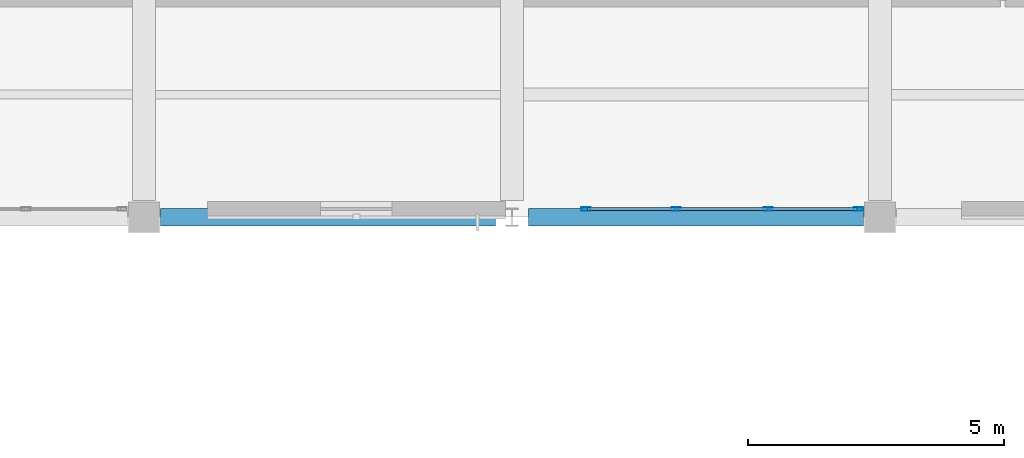
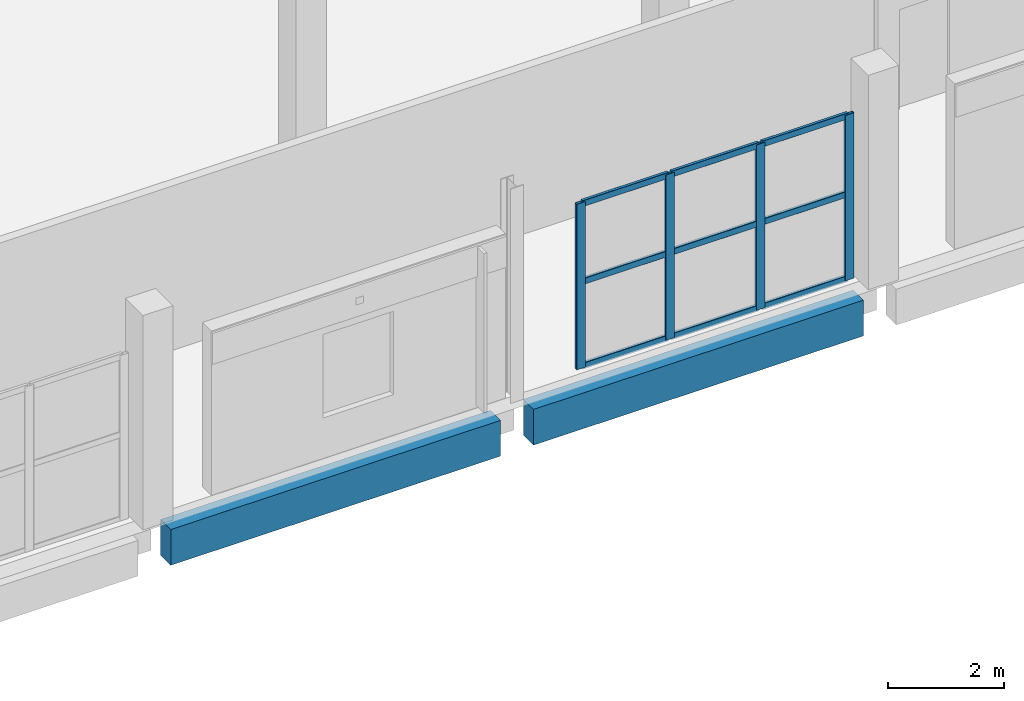
# One storey, part 53 of 123: 13 members, 2 beams, 1 element without a shape of its own.
"""IFC4 building model written with IfcOpenShell, lengths in metres."""

from ifc_helpers import new_model, si_unit, direction, frame, origin, origin_2d, place, context, subcontext, project, spatial, rectangle, hollow_rectangle, extrude, material, material_profile, profile_set, type_object, element, aggregate, save


model = new_model("IFC4")

# Units and contexts
model_context = context("Model", 3, precision=1e-05, world=origin(), true_north=direction((0.0, 1.0)))
body_context = subcontext(model_context, "Body", "Model", "MODEL_VIEW")
ifc_project = project(units=[si_unit("LENGTHUNIT", "METRE"), si_unit("AREAUNIT", "SQUARE_METRE"), si_unit("VOLUMEUNIT", "CUBIC_METRE"), si_unit("PLANEANGLEUNIT", "RADIAN"), si_unit("MASSUNIT", "GRAM", prefix="KILO")], contexts=[model_context])

# Site, building, storey
site_placement = place(None, origin())
site = spatial("IfcSite", under=ifc_project, at=site_placement, CompositionType="ELEMENT")
building_placement = place(site_placement, origin())
building = spatial("IfcBuilding", under=site, at=building_placement, Name="Kalmorath City Hall", CompositionType="ELEMENT")
storey_placement = place(building_placement, frame((0.0, 0.0, 10.199951171875)))
storey = spatial("IfcBuildingStorey", under=building, at=storey_placement, Name="L02", CompositionType="ELEMENT", Elevation=10.199951171875)

# Curtain wall, members
ifc_material_1 = material(Name="Anodised aluminium and laminated glass", Category="aluminium")
curtain_wall_type = type_object("IfcCurtainWallType", Name="Unitised hurricane curtain wall 5395x3471 M1750", PredefinedType="NOTDEFINED", material=ifc_material_1)
curtain_wall_placement = place(storey_placement, origin())
curtain_wall = element("IfcCurtainWall", 1, at=curtain_wall_placement, inside=storey, type_object=curtain_wall_type, Name="L02 curtain wall CW-54X35M18 #134", PredefinedType="NOTDEFINED")
ifc_material_2 = material(Name="Anodised aluminium framing", Category="aluminium")
ifc_material_profile_1 = material_profile(ifc_material_2, hollow_rectangle(XDim=0.06494140625, YDim=0.179931640625, WallThickness=0.00390625, InnerFilletRadius=0.00390625, OuterFilletRadius=0.008056640625, at=origin_2d()), Name="ALU-MUL-180X65X4")
ifc_profile_set_1 = profile_set([ifc_material_profile_1], Name="Anodised aluminium framing")
member_type_1 = type_object("IfcMemberType", Name="Curtain-wall courtyard mullion 180x65", PredefinedType="MULLION", material=ifc_profile_set_1)
member_1_placement = place(storey_placement, frame((93.177490234375, 93.760009765625, 0.0), z_axis=(0.0, 0.0, 1.0), x_axis=(0.0, -1.0, 0.0)))
member_1 = element("IfcMember", 2, at=member_1_placement, type_object=member_type_1, Name="CW-54X35M18 mullion 1", PredefinedType="MULLION", context=body_context, shape_type="SweptSolid", body=[
    extrude(hollow_rectangle(XDim=0.06494140625, YDim=0.179931640625, WallThickness=0.00390625, InnerFilletRadius=0.00390625, OuterFilletRadius=0.008056640625, at=origin_2d()), origin(), (0.0, 0.0, 1.0), 3.470947265625),
])
member_2_placement = place(storey_placement, frame((91.41162109375, 93.760009765625, 0.0), z_axis=(0.0, 0.0, 1.0), x_axis=(0.0, -1.0, 0.0)))
member_2 = element("IfcMember", 3, at=member_2_placement, type_object=member_type_1, Name="CW-54X35M18 mullion 2", PredefinedType="MULLION", context=body_context, shape_type="SweptSolid", body=[
    extrude(hollow_rectangle(XDim=0.06494140625, YDim=0.179931640625, WallThickness=0.00390625, InnerFilletRadius=0.00390625, OuterFilletRadius=0.008056640625, at=origin_2d()), origin(), (0.0, 0.0, 1.0), 3.470947265625),
])
member_3_placement = place(storey_placement, frame((89.613525390625, 93.760009765625, 0.0), z_axis=(0.0, 0.0, 1.0), x_axis=(0.0, -1.0, 0.0)))
member_3 = element("IfcMember", 4, at=member_3_placement, type_object=member_type_1, Name="CW-54X35M18 mullion 3", PredefinedType="MULLION", context=body_context, shape_type="SweptSolid", body=[
    extrude(hollow_rectangle(XDim=0.06494140625, YDim=0.179931640625, WallThickness=0.00390625, InnerFilletRadius=0.00390625, OuterFilletRadius=0.008056640625, at=origin_2d()), origin(), (0.0, 0.0, 1.0), 3.470947265625),
])
member_4_placement = place(storey_placement, frame((87.84765625, 93.760009765625, 0.0), z_axis=(0.0, 0.0, 1.0), x_axis=(0.0, -1.0, 0.0)))
member_4 = element("IfcMember", 5, at=member_4_placement, type_object=member_type_1, Name="CW-54X35M18 mullion 4", PredefinedType="MULLION", context=body_context, shape_type="SweptSolid", body=[
    extrude(hollow_rectangle(XDim=0.06494140625, YDim=0.179931640625, WallThickness=0.00390625, InnerFilletRadius=0.00390625, OuterFilletRadius=0.008056640625, at=origin_2d()), origin(), (0.0, 0.0, 1.0), 3.470947265625),
])
ifc_material_3 = material(Name="Anodised aluminium framing", Category="aluminium")
ifc_material_profile_2 = material_profile(ifc_material_3, hollow_rectangle(XDim=0.06005859375, YDim=0.1298828125, WallThickness=0.00341796875, InnerFilletRadius=0.00341796875, OuterFilletRadius=0.007080078125, at=origin_2d()), Name="ALU-TRN-130X60X3.5")
ifc_profile_set_2 = profile_set([ifc_material_profile_2], Name="Anodised aluminium framing")
member_type_2 = type_object("IfcMemberType", Name="Curtain-wall courtyard transom 130x60", PredefinedType="USERDEFINED", material=ifc_profile_set_2)
member_5_placement = place(storey_placement, frame((93.14501953125, 93.760009765625, 0.030029296875), z_axis=(-1.0, 0.0, 0.0), x_axis=(0.0, -1.0, 0.0)))
member_5 = element("IfcMember", 6, at=member_5_placement, type_object=member_type_2, Name="CW-54X35M18 transom 1.1", ObjectType="TRANSOM", PredefinedType="USERDEFINED", context=body_context, shape_type="SweptSolid", body=[
    extrude(hollow_rectangle(XDim=0.06005859375, YDim=0.1298828125, WallThickness=0.00341796875, InnerFilletRadius=0.00341796875, OuterFilletRadius=0.007080078125, at=origin_2d()), origin(), (0.0, 0.0, 1.0), 1.70068359375),
])
member_6_placement = place(storey_placement, frame((93.14501953125, 93.760009765625, 1.804931640625), z_axis=(-1.0, 0.0, 0.0), x_axis=(0.0, -1.0, 0.0)))
member_6 = element("IfcMember", 7, at=member_6_placement, type_object=member_type_2, Name="CW-54X35M18 transom 1.2", ObjectType="TRANSOM", PredefinedType="USERDEFINED", context=body_context, shape_type="SweptSolid", body=[
    extrude(hollow_rectangle(XDim=0.06005859375, YDim=0.1298828125, WallThickness=0.00341796875, InnerFilletRadius=0.00341796875, OuterFilletRadius=0.007080078125, at=origin_2d()), origin(), (0.0, 0.0, 1.0), 1.70068359375),
])
member_7_placement = place(storey_placement, frame((93.14501953125, 93.760009765625, 3.441162109375), z_axis=(-1.0, 0.0, 0.0), x_axis=(0.0, -1.0, 0.0)))
member_7 = element("IfcMember", 8, at=member_7_placement, type_object=member_type_2, Name="CW-54X35M18 transom 1.3", ObjectType="TRANSOM", PredefinedType="USERDEFINED", context=body_context, shape_type="SweptSolid", body=[
    extrude(hollow_rectangle(XDim=0.06005859375, YDim=0.1298828125, WallThickness=0.00341796875, InnerFilletRadius=0.00341796875, OuterFilletRadius=0.007080078125, at=origin_2d()), origin(), (0.0, 0.0, 1.0), 1.70068359375),
])
member_8_placement = place(storey_placement, frame((91.379150390625, 93.760009765625, 0.030029296875), z_axis=(-1.0, 0.0, 0.0), x_axis=(0.0, -1.0, 0.0)))
member_8 = element("IfcMember", 9, at=member_8_placement, type_object=member_type_2, Name="CW-54X35M18 transom 2.1", ObjectType="TRANSOM", PredefinedType="USERDEFINED", context=body_context, shape_type="SweptSolid", body=[
    extrude(hollow_rectangle(XDim=0.06005859375, YDim=0.1298828125, WallThickness=0.00341796875, InnerFilletRadius=0.00341796875, OuterFilletRadius=0.007080078125, at=origin_2d()), origin(), (0.0, 0.0, 1.0), 1.733154296875),
])
member_9_placement = place(storey_placement, frame((91.379150390625, 93.760009765625, 1.804931640625), z_axis=(-1.0, 0.0, 0.0), x_axis=(0.0, -1.0, 0.0)))
member_9 = element("IfcMember", 10, at=member_9_placement, type_object=member_type_2, Name="CW-54X35M18 transom 2.2", ObjectType="TRANSOM", PredefinedType="USERDEFINED", context=body_context, shape_type="SweptSolid", body=[
    extrude(hollow_rectangle(XDim=0.06005859375, YDim=0.1298828125, WallThickness=0.00341796875, InnerFilletRadius=0.00341796875, OuterFilletRadius=0.007080078125, at=origin_2d()), origin(), (0.0, 0.0, 1.0), 1.733154296875),
])
member_10_placement = place(storey_placement, frame((91.379150390625, 93.760009765625, 3.441162109375), z_axis=(-1.0, 0.0, 0.0), x_axis=(0.0, -1.0, 0.0)))
member_10 = element("IfcMember", 11, at=member_10_placement, type_object=member_type_2, Name="CW-54X35M18 transom 2.3", ObjectType="TRANSOM", PredefinedType="USERDEFINED", context=body_context, shape_type="SweptSolid", body=[
    extrude(hollow_rectangle(XDim=0.06005859375, YDim=0.1298828125, WallThickness=0.00341796875, InnerFilletRadius=0.00341796875, OuterFilletRadius=0.007080078125, at=origin_2d()), origin(), (0.0, 0.0, 1.0), 1.733154296875),
])
member_11_placement = place(storey_placement, frame((89.5810546875, 93.760009765625, 0.030029296875), z_axis=(-1.0, 0.0, 0.0), x_axis=(0.0, -1.0, 0.0)))
member_11 = element("IfcMember", 12, at=member_11_placement, type_object=member_type_2, Name="CW-54X35M18 transom 3.1", ObjectType="TRANSOM", PredefinedType="USERDEFINED", context=body_context, shape_type="SweptSolid", body=[
    extrude(hollow_rectangle(XDim=0.06005859375, YDim=0.1298828125, WallThickness=0.00341796875, InnerFilletRadius=0.00341796875, OuterFilletRadius=0.007080078125, at=origin_2d()), origin(), (0.0, 0.0, 1.0), 1.700927734375),
])
member_12_placement = place(storey_placement, frame((89.5810546875, 93.760009765625, 1.804931640625), z_axis=(-1.0, 0.0, 0.0), x_axis=(0.0, -1.0, 0.0)))
member_12 = element("IfcMember", 13, at=member_12_placement, type_object=member_type_2, Name="CW-54X35M18 transom 3.2", ObjectType="TRANSOM", PredefinedType="USERDEFINED", context=body_context, shape_type="SweptSolid", body=[
    extrude(hollow_rectangle(XDim=0.06005859375, YDim=0.1298828125, WallThickness=0.00341796875, InnerFilletRadius=0.00341796875, OuterFilletRadius=0.007080078125, at=origin_2d()), origin(), (0.0, 0.0, 1.0), 1.700927734375),
])
member_13_placement = place(storey_placement, frame((89.5810546875, 93.760009765625, 3.441162109375), z_axis=(-1.0, 0.0, 0.0), x_axis=(0.0, -1.0, 0.0)))
member_13 = element("IfcMember", 14, at=member_13_placement, type_object=member_type_2, Name="CW-54X35M18 transom 3.3", ObjectType="TRANSOM", PredefinedType="USERDEFINED", context=body_context, shape_type="SweptSolid", body=[
    extrude(hollow_rectangle(XDim=0.06005859375, YDim=0.1298828125, WallThickness=0.00341796875, InnerFilletRadius=0.00341796875, OuterFilletRadius=0.007080078125, at=origin_2d()), origin(), (0.0, 0.0, 1.0), 1.700927734375),
])
aggregate(curtain_wall, [member_1, member_2, member_3, member_4, member_5, member_6, member_7, member_8, member_9, member_10, member_11, member_12, member_13])

# Beams
ifc_material_4 = material(Name="Precast concrete C40/50", Category="concrete")
ifc_material_profile_3 = material_profile(ifc_material_4, rectangle(XDim=0.35009765625, YDim=0.75, at=origin_2d()), Name="PC-SP-350X750")
ifc_profile_set_3 = profile_set([ifc_material_profile_3], Name="Precast concrete C40/50")
beam_type = type_object("IfcBeamType", Name="Precast spandrel lintel 350x750", PredefinedType="LINTEL", material=ifc_profile_set_3)
beam_1_placement = place(storey_placement, frame((79.52490234375, 93.60009765625, -0.658935546875), z_axis=(1.0, 0.0, 0.0), x_axis=(0.0, 1.0, 0.0)))
element("IfcBeam", 15, at=beam_1_placement, inside=storey, type_object=beam_type, Name="L02 girder PSB1 X12-13/14", PredefinedType="LINTEL", context=body_context, shape_type="SweptSolid", body=[
    extrude(rectangle(XDim=0.35009765625, YDim=0.75, at=origin_2d()), origin(), (0.0, 0.0, 1.0), 6.550048828125),
])
beam_2_placement = place(storey_placement, frame((86.72509765625, 93.60009765625, -0.658935546875), z_axis=(1.0, 0.0, 0.0), x_axis=(0.0, 1.0, 0.0)))
element("IfcBeam", 16, at=beam_2_placement, inside=storey, type_object=beam_type, Name="L02 girder PSB1 X13-14/14", PredefinedType="LINTEL", context=body_context, shape_type="SweptSolid", body=[
    extrude(rectangle(XDim=0.35009765625, YDim=0.75, at=origin_2d()), origin(), (0.0, 0.0, 1.0), 6.5498046875),
])

save(model, "model.ifc")
